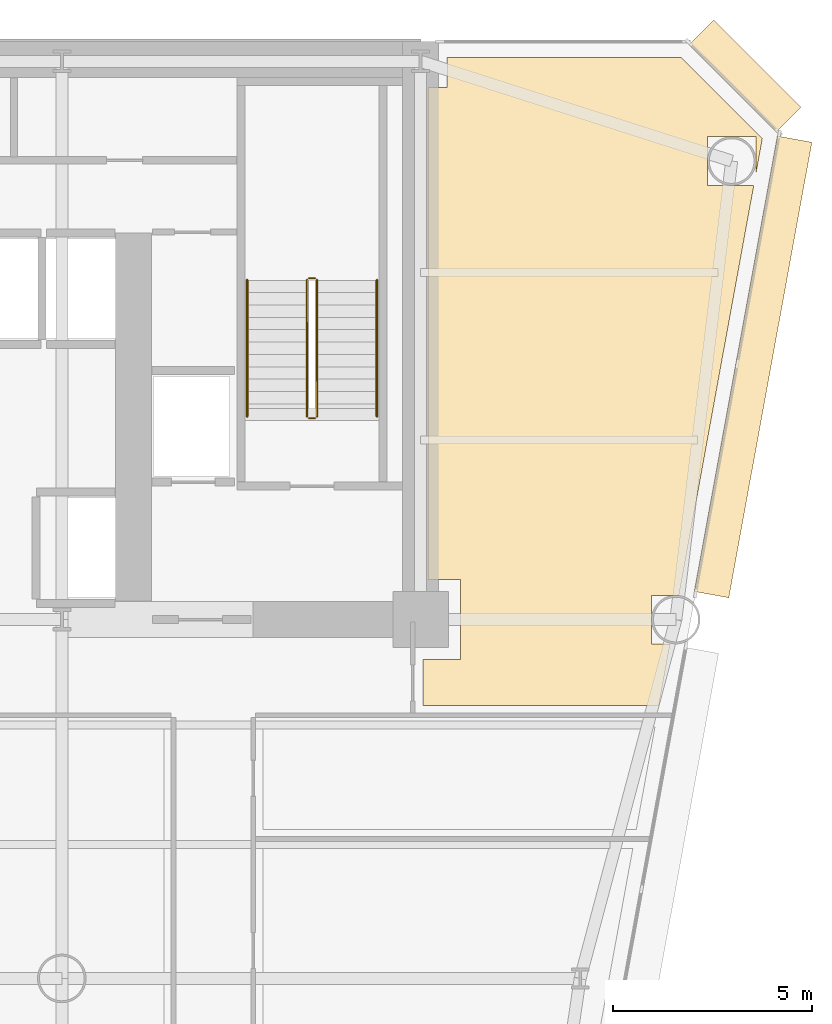
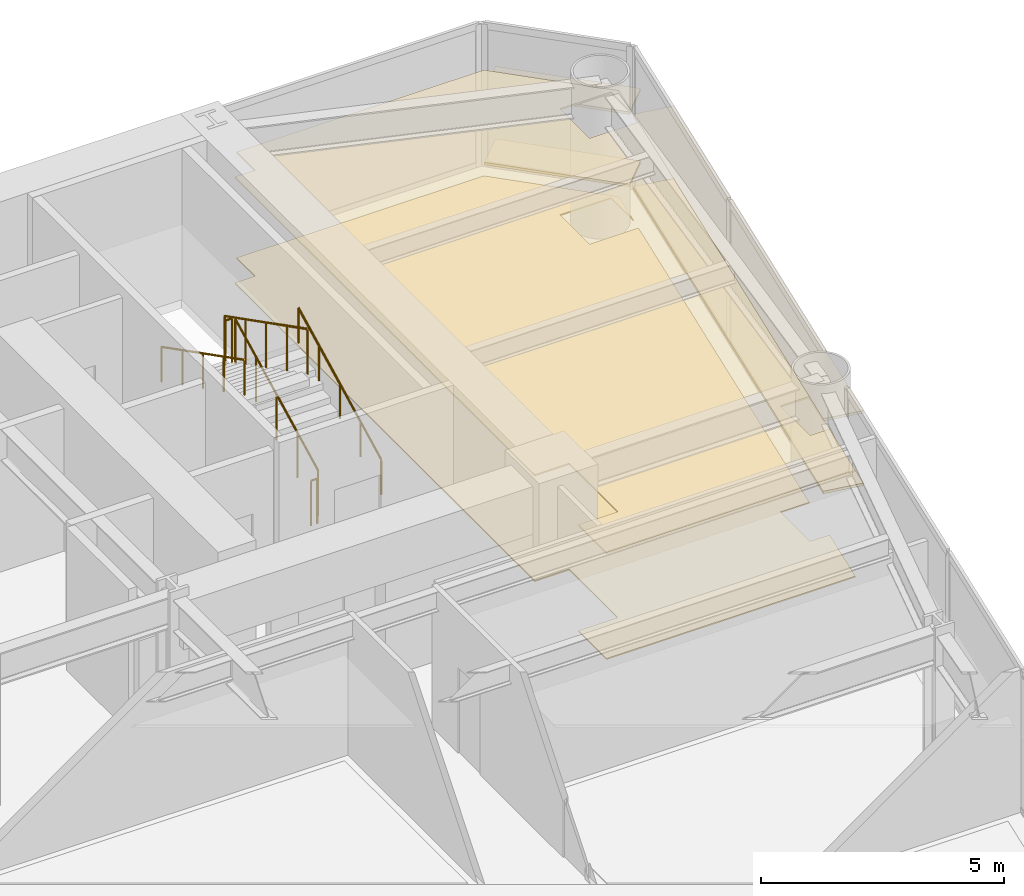
# One storey, part 14 of 14: 6 coverings, 6 railings.
"""IFC4 building model written with IfcOpenShell, lengths in metres."""

from ifc_helpers import new_model, si_unit, direction, frame, origin, origin_2d, place, context, subcontext, project, spatial, polyline, rectangle, circle, outline, extrude, source, transform, mapped, material, layer, layer_set, type_object, element, save


model = new_model("IFC4")

# Units and contexts
model_context = context("Model", 3, precision=1e-05, world=origin(), true_north=direction((0.0, 1.0)))
body_context = subcontext(model_context, "Body", "Model", "MODEL_VIEW")
ifc_project = project(units=[si_unit("LENGTHUNIT", "METRE"), si_unit("AREAUNIT", "SQUARE_METRE"), si_unit("VOLUMEUNIT", "CUBIC_METRE"), si_unit("PLANEANGLEUNIT", "RADIAN"), si_unit("MASSUNIT", "GRAM", prefix="KILO")], contexts=[model_context])

# Site, building, storey
site_placement = place(None, origin())
site = spatial("IfcSite", under=ifc_project, at=site_placement, CompositionType="ELEMENT")
building_placement = place(site_placement, origin())
building = spatial("IfcBuilding", under=site, at=building_placement, Name="Vaeldorn Concourse Tower", CompositionType="ELEMENT")
storey_placement = place(building_placement, frame((0.0, 0.0, 64.39990234375)))
storey = spatial("IfcBuildingStorey", under=building, at=storey_placement, Name="L16", CompositionType="ELEMENT", Elevation=64.39990234375)

# Coverings
ifc_material_1 = material(Name="Acoustic Mineral Fibre Board", Category="gypsum")
ifc_layer_1 = layer(ifc_material_1, 0.0400390625)
ifc_layer_set_1 = layer_set([ifc_layer_1], Name="Acoustic Mineral Fibre Board")
covering_type_1 = type_object("IfcCoveringType", Name="COV-CEIL-ACOUSTIC", PredefinedType="CEILING", material=ifc_layer_set_1)
covering_1_placement = place(storey_placement, frame((0.0, 0.0, 2.650146484375)))
element("IfcCovering", 1, at=covering_1_placement, inside=storey, type_object=covering_type_1, Name="Suspended Acoustic Ceiling L16-5", PredefinedType="CEILING", context=body_context, shape_type="SweptSolid", body=[
    extrude(outline(polyline([(54.179931640625, 49.840087890625), (54.659912109375, 49.840087890625), (54.659912109375, 50.60009765625), (60.5341796875, 50.60009765625), (62.56884765625, 48.5654296875), (62.409423828125, 47.69189453125), (62.409423828125, 48.609619140625), (61.1904296875, 48.609619140625), (61.1904296875, 47.390380859375), (62.3544921875, 47.390380859375), (60.47900390625, 37.109619140625), (59.79052734375, 37.109619140625), (59.79052734375, 35.890380859375), (60.256591796875, 35.890380859375), (59.9736328125, 34.340087890625), (54.06005859375, 34.340087890625), (54.06005859375, 35.5), (55.0, 35.5), (55.0, 37.5), (54.179931640625, 37.5), (54.179931640625, 49.840087890625)])), origin(), (0.0, 0.0, 1.0), 0.0400390625),
])
ifc_material_2 = material(Name="Honed Limestone Terrazzo Flooring", Category="masonry")
ifc_layer_2 = layer(ifc_material_2, 0.0400390625)
ifc_layer_set_2 = layer_set([ifc_layer_2], Name="Honed Limestone Terrazzo Flooring")
covering_type_2 = type_object("IfcCoveringType", Name="COV-FLOOR-STONE", PredefinedType="FLOORING", material=ifc_layer_set_2)
covering_2_placement = place(storey_placement, origin())
element("IfcCovering", 2, at=covering_2_placement, inside=storey, type_object=covering_type_2, Name="Floor Finish Covering L16-5", PredefinedType="FLOORING", context=body_context, shape_type="SweptSolid", body=[
    extrude(outline(polyline([(54.179931640625, 49.840087890625), (54.659912109375, 49.840087890625), (54.659912109375, 50.60009765625), (60.5341796875, 50.60009765625), (62.56884765625, 48.5654296875), (62.409423828125, 47.69189453125), (62.409423828125, 48.609619140625), (61.1904296875, 48.609619140625), (61.1904296875, 47.390380859375), (62.3544921875, 47.390380859375), (60.47900390625, 37.109619140625), (59.79052734375, 37.109619140625), (59.79052734375, 35.890380859375), (60.256591796875, 35.890380859375), (59.9736328125, 34.340087890625), (54.06005859375, 34.340087890625), (54.06005859375, 35.5), (55.0, 35.5), (55.0, 37.5), (54.179931640625, 37.5), (54.179931640625, 49.840087890625)])), origin(), (0.0, 0.0, 1.0), 0.030029296875),
])

# Railings
ifc_material_3 = material(Name="Anodised Bronze Aluminium", Category="aluminium")
railing_type_1 = type_object("IfcRailingType", Name="RL-STAIR-GUARD", PredefinedType="GUARDRAIL", material=ifc_material_3)
railing_1_placement = place(storey_placement, frame((51.39990234375, 41.60009765625, 0.158447265625)))
element("IfcRailing", 3, at=railing_1_placement, inside=storey, type_object=railing_type_1, Name="L16 ST-2 stair guard 1", PredefinedType="GUARDRAIL", context=body_context, shape_type="SweptSolid", body=[
    extrude(circle(Radius=0.02392578125, at=origin_2d()), frame((0.0, 0.0, 1.1259765625), z_axis=(0.0, 0.890555807335, 0.454873997962), x_axis=(-1.0, 0.0, 0.0)), (0.0, 0.0, 1.0), 3.828857421875),
    extrude(circle(Radius=0.02099609375, at=origin_2d()), origin(), (0.0, 0.0, 1.0), 1.101806640625),
    extrude(circle(Radius=0.02099609375, at=origin_2d()), frame((0.0, 0.8525390625, 0.435546875)), (0.0, 0.0, 1.0), 1.101806640625),
    extrude(circle(Radius=0.02099609375, at=origin_2d()), frame((0.0, 1.705078125, 0.870849609375)), (0.0, 0.0, 1.0), 1.101806640625),
    extrude(circle(Radius=0.02099609375, at=origin_2d()), frame((0.0, 2.557373046875, 1.30615234375)), (0.0, 0.0, 1.0), 1.101806640625),
    extrude(circle(Radius=0.02099609375, at=origin_2d()), frame((0.0, 3.409912109375, 1.74169921875)), (0.0, 0.0, 1.0), 1.101806640625),
])
railing_2_placement = place(storey_placement, frame((51.35009765625, 45.06005859375, 1.900146484375)))
element("IfcRailing", 4, at=railing_2_placement, inside=storey, type_object=railing_type_1, Name="L16 ST-2 stair guard 2", PredefinedType="GUARDRAIL", context=body_context, shape_type="SweptSolid", body=[
    extrude(circle(Radius=0.02392578125, at=origin_2d()), frame((0.0, 0.0, 1.1259765625), z_axis=(-1.0, 0.0, 0.0), x_axis=(0.0, -1.0, 0.0)), (0.0, 0.0, 1.0), 0.150146484375),
    extrude(circle(Radius=0.02099609375, at=origin_2d()), origin(), (0.0, 0.0, 1.0), 1.101806640625),
    extrude(circle(Radius=0.02099609375, at=origin_2d()), frame((-0.150146484375, 0.0, 0.0)), (0.0, 0.0, 1.0), 1.101806640625),
])
railing_3_placement = place(storey_placement, frame((51.14990234375, 45.010009765625, 2.058349609375)))
element("IfcRailing", 5, at=railing_3_placement, inside=storey, type_object=railing_type_1, Name="L16 ST-2 stair guard 3", PredefinedType="GUARDRAIL", context=body_context, shape_type="SweptSolid", body=[
    extrude(circle(Radius=0.02392578125, at=origin_2d()), frame((0.0, 0.0, 1.1259765625), z_axis=(0.0, -0.890555807335, 0.454873997962), x_axis=(1.0, 0.0, 0.0)), (0.0, 0.0, 1.0), 3.828857421875),
    extrude(circle(Radius=0.02099609375, at=origin_2d()), origin(), (0.0, 0.0, 1.0), 1.101806640625),
    extrude(circle(Radius=0.02099609375, at=origin_2d()), frame((0.0, -0.8525390625, 0.435546875)), (0.0, 0.0, 1.0), 1.101806640625),
    extrude(circle(Radius=0.02099609375, at=origin_2d()), frame((0.0, -1.705078125, 0.870849609375)), (0.0, 0.0, 1.0), 1.101806640625),
    extrude(circle(Radius=0.02099609375, at=origin_2d()), frame((0.0, -2.557373046875, 1.30615234375)), (0.0, 0.0, 1.0), 1.101806640625),
    extrude(circle(Radius=0.02099609375, at=origin_2d()), frame((0.0, -3.409912109375, 1.74169921875)), (0.0, 0.0, 1.0), 1.101806640625),
])
railing_4_placement = place(storey_placement, frame((51.35009765625, 41.550048828125, 0.0)))
element("IfcRailing", 6, at=railing_4_placement, inside=storey, type_object=railing_type_1, Name="L16 ST-2 stair guard 4", PredefinedType="GUARDRAIL", context=body_context, shape_type="SweptSolid", body=[
    extrude(circle(Radius=0.02392578125, at=origin_2d()), frame((0.0, 0.0, 1.1259765625), z_axis=(-1.0, 0.0, 0.0), x_axis=(0.0, -1.0, 0.0)), (0.0, 0.0, 1.0), 0.150146484375),
    extrude(circle(Radius=0.02099609375, at=origin_2d()), origin(), (0.0, 0.0, 1.0), 1.101806640625),
    extrude(circle(Radius=0.02099609375, at=origin_2d()), frame((-0.150146484375, 0.0, 0.0)), (0.0, 0.0, 1.0), 1.101806640625),
])
railing_type_2 = type_object("IfcRailingType", Name="RL-STAIR-HANDRAIL", PredefinedType="HANDRAIL", material=ifc_material_3)
railing_5_placement = place(storey_placement, frame((52.89990234375, 41.60009765625, 0.158447265625)))
element("IfcRailing", 7, at=railing_5_placement, inside=storey, type_object=railing_type_2, Name="L16 ST-2 stair handrail 1", PredefinedType="HANDRAIL", context=body_context, shape_type="SweptSolid", body=[
    extrude(circle(Radius=0.02392578125, at=origin_2d()), frame((0.0, 0.0, 0.8759765625), z_axis=(0.0, 0.890555807335, 0.454873997962), x_axis=(-1.0, 0.0, 0.0)), (0.0, 0.0, 1.0), 3.828857421875),
    extrude(circle(Radius=0.02099609375, at=origin_2d()), origin(), (0.0, 0.0, 1.0), 0.851806640625),
    extrude(circle(Radius=0.02099609375, at=origin_2d()), frame((0.0, 0.8525390625, 0.435546875)), (0.0, 0.0, 1.0), 0.851806640625),
    extrude(circle(Radius=0.02099609375, at=origin_2d()), frame((0.0, 1.705078125, 0.870849609375)), (0.0, 0.0, 1.0), 0.851806640625),
    extrude(circle(Radius=0.02099609375, at=origin_2d()), frame((0.0, 2.557373046875, 1.30615234375)), (0.0, 0.0, 1.0), 0.851806640625),
    extrude(circle(Radius=0.02099609375, at=origin_2d()), frame((0.0, 3.409912109375, 1.74169921875)), (0.0, 0.0, 1.0), 0.851806640625),
])
railing_6_placement = place(storey_placement, frame((49.64990234375, 45.010009765625, 2.058349609375)))
element("IfcRailing", 8, at=railing_6_placement, inside=storey, type_object=railing_type_2, Name="L16 ST-2 stair handrail 2", PredefinedType="HANDRAIL", context=body_context, shape_type="SweptSolid", body=[
    extrude(circle(Radius=0.02392578125, at=origin_2d()), frame((0.0, 0.0, 0.8759765625), z_axis=(0.0, -0.890555807335, 0.454873997962), x_axis=(1.0, 0.0, 0.0)), (0.0, 0.0, 1.0), 3.828857421875),
    extrude(circle(Radius=0.02099609375, at=origin_2d()), origin(), (0.0, 0.0, 1.0), 0.851806640625),
    extrude(circle(Radius=0.02099609375, at=origin_2d()), frame((0.0, -0.8525390625, 0.435546875)), (0.0, 0.0, 1.0), 0.851806640625),
    extrude(circle(Radius=0.02099609375, at=origin_2d()), frame((0.0, -1.705078125, 0.870849609375)), (0.0, 0.0, 1.0), 0.851806640625),
    extrude(circle(Radius=0.02099609375, at=origin_2d()), frame((0.0, -2.557373046875, 1.30615234375)), (0.0, 0.0, 1.0), 0.851806640625),
    extrude(circle(Radius=0.02099609375, at=origin_2d()), frame((0.0, -3.409912109375, 1.74169921875)), (0.0, 0.0, 1.0), 0.851806640625),
])

# Coverings
ifc_layer_3 = layer(ifc_material_3, 0.06494140625)
ifc_layer_set_3 = layer_set([ifc_layer_3], Name="Anodised Bronze Aluminium")
covering_type_3 = type_object("IfcCoveringType", Name="SD-BRONZE-SUNSHADE", PredefinedType="USERDEFINED", material=ifc_layer_set_3)
shared_shape_1 = source(origin(), body_context, "Body", "SweptSolid", [
    extrude(rectangle(XDim=3.0927734375, YDim=0.8798828125, at=origin_2d()), origin(), (0.0, 0.0, 1.0), 0.06494140625),
])
for number, where, z_axis, x_axis, name in (
    (9, (62.1328125, 50.1328125, 0.047607421875), (0.0, 0.0, 1.0), (-0.707106781187, 0.707106781187, 0.0), "Horizontal Bronze Sunshade L16-E08.1.1"),
    (10, (62.1328125, 50.1328125, 1.86767578125), (0.0, 0.0, 1.0), (-0.707106781187, 0.707106781187, 0.0), "Horizontal Bronze Sunshade L16-E08.1.2"),
):
    element("IfcCovering", number, at=place(storey_placement, frame(where, z_axis=z_axis, x_axis=x_axis)), inside=storey, type_object=covering_type_3, Name=name, ObjectType="SUNSHADE", PredefinedType="USERDEFINED", context=body_context, shape_type="MappedRepresentation", body=[
        mapped(shared_shape_1, transform((0.0, 0.0, 0.0), scale=1.0)),
    ])
shared_shape_2 = source(origin(), body_context, "Body", "SweptSolid", [
    extrude(rectangle(XDim=11.611572265625, YDim=0.8798828125, at=origin_2d()), origin(), (0.0, 0.0, 1.0), 0.06494140625),
])
for number, where, z_axis, x_axis, name in (
    (11, (62.337158203125, 42.837890625, 0.047607421875), (0.0, 0.0, 1.0), (0.179471882945, 0.983763103207, 0.0), "Horizontal Bronze Sunshade L16-E07.2.1"),
    (12, (62.337158203125, 42.837890625, 1.86767578125), (0.0, 0.0, 1.0), (0.179471882945, 0.983763103207, 0.0), "Horizontal Bronze Sunshade L16-E07.2.2"),
):
    element("IfcCovering", number, at=place(storey_placement, frame(where, z_axis=z_axis, x_axis=x_axis)), inside=storey, type_object=covering_type_3, Name=name, ObjectType="SUNSHADE", PredefinedType="USERDEFINED", context=body_context, shape_type="MappedRepresentation", body=[
        mapped(shared_shape_2, transform((0.0, 0.0, 0.0), scale=1.0)),
    ])

save(model, "model.ifc")
